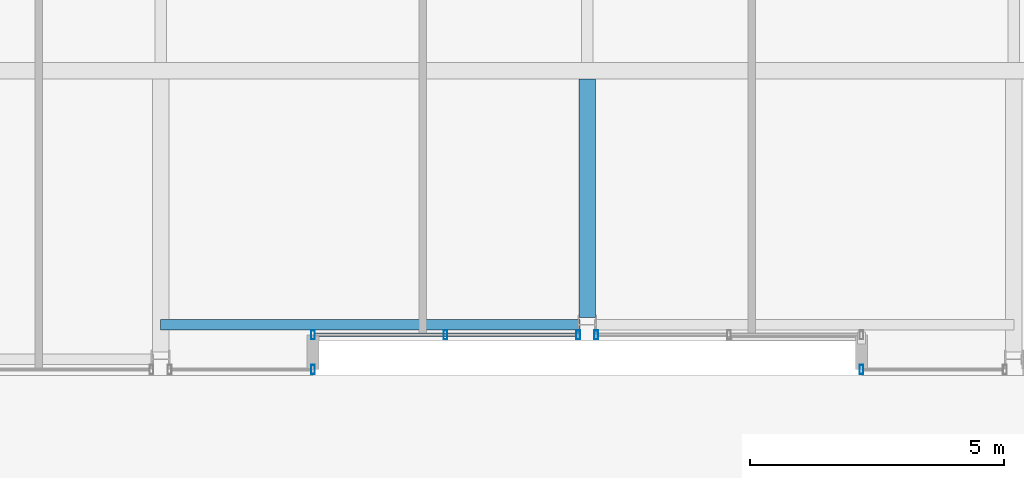
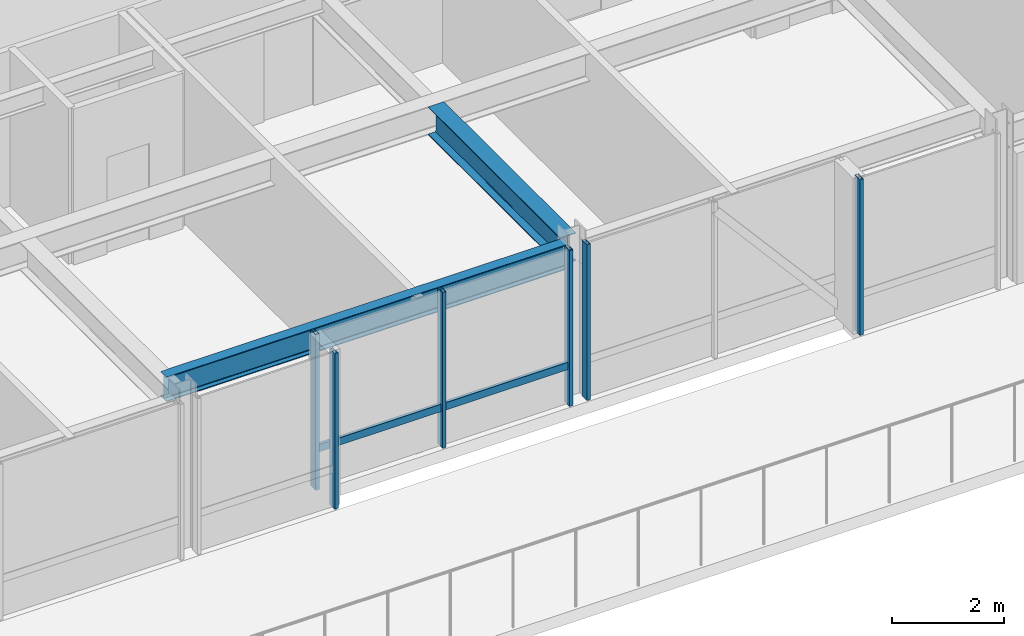
# One storey, part 5 of 32: 7 members, 2 beams, 4 elements without a shape of their own.
"""IFC4 building model written with IfcOpenShell, lengths in metres."""

import ifcopenshell
import ifcopenshell.guid

model = None  # the IFC model being written
_history = None  # IfcOwnerHistory: only IFC2X3 demands one
_inside = {}  # id of a spatial element -> (the spatial element, [elements in it])
_under = {}  # id of a project, library or spatial element -> (it, [spatial elements below it])
_declared = {}  # id of a project -> (the project, [libraries it declares])
_typed = {}  # id of a type object -> (the type object, [elements of that type])
_made_of = {}  # id of a material, layer set ... -> (it, [elements and type objects made of it])


def new_model(schema):
    """Start an empty IFC model of exactly this schema.

    Asked for "IFC4X3", IfcOpenShell would pick the latest addendum, in which some entities
    have other attributes; the version numbers below select the first issue.
    IFC2X3 requires an IfcOwnerHistory on every rooted entity: one is made here for all.
    """
    global model, _history
    if schema == "IFC4X3":
        model = ifcopenshell.file(schema_version=(4, 3, 0, 0))
    else:
        model = ifcopenshell.file(schema=schema)
    _inside.clear()
    _under.clear()
    _declared.clear()
    _typed.clear()
    _made_of.clear()
    _history = None
    if model.schema == "IFC2X3":
        org = make("IfcOrganization", Name="unknown")
        user = make(
            "IfcPersonAndOrganization",
            ThePerson=make("IfcPerson", FamilyName="unknown"),
            TheOrganization=org,
        )
        app = make(
            "IfcApplication",
            ApplicationDeveloper=org,
            Version="unknown",
            ApplicationFullName="unknown",
            ApplicationIdentifier="unknown",
        )
        _history = make(
            "IfcOwnerHistory",
            OwningUser=user,
            OwningApplication=app,
            ChangeAction="ADDED",
            CreationDate=0,
        )
    return model


def make(cls, **values):
    """One entity of the class cls with the attributes given. An attribute that is None is left unset."""
    return model.create_entity(
        cls, **{name: value for name, value in values.items() if value is not None}
    )


def rooted(cls, **values):
    """An entity with a GlobalId (a new one), such as an element, a storey or a relation."""
    return make(cls, GlobalId=ifcopenshell.guid.new(), OwnerHistory=_history, **values)


def si_unit(unit_type, name, prefix=None):
    """IfcSIUnit, for example si_unit("LENGTHUNIT", "METRE", prefix="MILLI")."""
    return make("IfcSIUnit", UnitType=unit_type, Prefix=prefix, Name=name)


def assignment(units):
    """IfcUnitAssignment: the units of a project."""
    return None if units is None else make("IfcUnitAssignment", Units=units)


def point(xyz):
    """IfcCartesianPoint."""
    return None if xyz is None else make("IfcCartesianPoint", Coordinates=xyz)


def direction(xyz):
    """IfcDirection."""
    return None if xyz is None else make("IfcDirection", DirectionRatios=xyz)


def frame(location, z_axis=None, x_axis=None):
    """IfcAxis2Placement3D, a coordinate frame: its origin and axes. An axis left out is left unset."""
    return make(
        "IfcAxis2Placement3D",
        Location=point(location),
        Axis=direction(z_axis),
        RefDirection=direction(x_axis),
    )


def frame_2d(location, x_axis=None):
    """IfcAxis2Placement2D, a coordinate frame in the plane: its origin and x axis."""
    return make(
        "IfcAxis2Placement2D", Location=point(location), RefDirection=direction(x_axis)
    )


def origin():
    """The frame at (0, 0, 0) with its axes left unset."""
    return frame((0.0, 0.0, 0.0))


def origin_2d():
    """The frame at (0, 0) in the plane with its x axis left unset."""
    return frame_2d((0.0, 0.0))


def place(relative_to, where):
    """IfcLocalPlacement: puts the frame where relative to a parent placement (None: the world)."""
    return make(
        "IfcLocalPlacement", PlacementRelTo=relative_to, RelativePlacement=where
    )


def context(
    kind, dimensions, precision=None, world=None, true_north=None, identifier=None
):
    """IfcGeometricRepresentationContext, for example the 3D "Model" context."""
    return make(
        "IfcGeometricRepresentationContext",
        ContextIdentifier=identifier,
        ContextType=kind,
        CoordinateSpaceDimension=dimensions,
        Precision=precision,
        WorldCoordinateSystem=world,
        TrueNorth=true_north,
    )


def subcontext(parent, identifier, kind, view, scale=None):
    """IfcGeometricRepresentationSubContext, for example "Body" below "Model"."""
    return make(
        "IfcGeometricRepresentationSubContext",
        ContextIdentifier=identifier,
        ContextType=kind,
        ParentContext=parent,
        TargetScale=scale,
        TargetView=view,
    )


def project(units=None, contexts=None):
    """IfcProject with its units and contexts."""
    return rooted(
        "IfcProject",
        Name="project",
        RepresentationContexts=contexts,
        UnitsInContext=assignment(units),
    )


def spatial(cls, under=None, at=None, **own):
    """A site, building, storey or space (cls), placed at a placement, below another one or the project."""
    s = rooted(cls, ObjectPlacement=at, **own)
    if under is not None:
        _under.setdefault(under.id(), (under, []))[1].append(s)
    return s


def profile(cls, at=None, kind="AREA", **sizes):
    """A parametric profile (cls). Its sizes go by their IFC names, for example OverallWidth=200.0."""
    return make(cls, ProfileType=kind, Position=at, **sizes)


def hollow_rectangle(**sizes):
    """IfcRectangleHollowProfileDef."""
    return profile("IfcRectangleHollowProfileDef", **sizes)


def i_section(**sizes):
    """IfcIShapeProfileDef."""
    return profile("IfcIShapeProfileDef", **sizes)


def extrude(swept, where, along, depth):
    """IfcExtrudedAreaSolid: the profile swept, set in the frame where, extruded along a direction by depth."""
    return make(
        "IfcExtrudedAreaSolid",
        SweptArea=swept,
        Position=where,
        ExtrudedDirection=direction(along),
        Depth=depth,
    )


def shape(context_of_items, identifier, shape_type, items):
    """IfcShapeRepresentation: the items that make up one representation, for example the "Body"."""
    return make(
        "IfcShapeRepresentation",
        ContextOfItems=context_of_items,
        RepresentationIdentifier=identifier,
        RepresentationType=shape_type,
        Items=items,
    )


def material(Name=None, Category=None):
    """IfcMaterial."""
    return make("IfcMaterial", Name=Name, Category=Category)


def layer(
    of_material, thickness, ventilated=None, Name=None, Category=None, Priority=None
):
    """IfcMaterialLayer: one layer of a wall or slab, of a material (None: an air gap)."""
    return make(
        "IfcMaterialLayer",
        Material=of_material,
        LayerThickness=thickness,
        IsVentilated=ventilated,
        Name=Name,
        Category=Category,
        Priority=Priority,
    )


def layer_set(layers, Name=None):
    """IfcMaterialLayerSet."""
    return make("IfcMaterialLayerSet", MaterialLayers=layers, LayerSetName=Name)


def material_profile(
    of_material, cross_section, Name=None, Category=None, Priority=None
):
    """IfcMaterialProfile: a cross section and its material."""
    return make(
        "IfcMaterialProfile",
        Name=Name,
        Material=of_material,
        Profile=cross_section,
        Priority=Priority,
        Category=Category,
    )


def profile_set(profiles, Name=None, composite=None):
    """IfcMaterialProfileSet."""
    return make(
        "IfcMaterialProfileSet",
        Name=Name,
        MaterialProfiles=profiles,
        CompositeProfile=composite,
    )


def made_of(thing, what):
    """Note that an element or type object is made of a material, layer set ...; save() writes the relation."""
    if what is not None:
        _made_of.setdefault(what.id(), (what, []))[1].append(thing)
    return thing


def type_object(cls, material=None, **own):
    """A type object (cls), such as IfcWallType, which elements share."""
    return made_of(rooted(cls, **own), material)


def element(
    cls,
    number,
    at=None,
    inside=None,
    cuts=None,
    type_object=None,
    material=None,
    context=None,
    identifier="Body",
    shape_type=None,
    held_by="IfcProductDefinitionShape",
    body=None,
    shapes=None,
    **own,
):
    """One element of the class cls, such as IfcWall. Its Tag is "e" and its number.

    at: its placement. inside: the storey or other place that contains it. cuts: it is an
    opening in that element (IfcRelVoidsElement). A single representation is given by context,
    identifier, shape_type and body (its items); several are given by shapes. held_by: the class
    of the entity that holds the representations. save() writes the other relations.
    """
    e = rooted(cls, Tag="e%d" % number, ObjectPlacement=at, **own)
    if body is not None:
        shapes = [shape(context, identifier, shape_type, body)]
    if shapes is not None:
        e.Representation = make(held_by, Representations=shapes)
    if inside is not None:
        _inside.setdefault(inside.id(), (inside, []))[1].append(e)
    if cuts is not None:
        rooted(
            "IfcRelVoidsElement", RelatingBuildingElement=cuts, RelatedOpeningElement=e
        )
    if type_object is not None:
        _typed.setdefault(type_object.id(), (type_object, []))[1].append(e)
    return made_of(e, material)


def aggregate(whole, parts):
    """IfcRelAggregates: a whole, such as a stair, and the parts it consists of."""
    return rooted("IfcRelAggregates", RelatingObject=whole, RelatedObjects=parts)


def save(model, path):
    """Write the relations noted so far, then the file.

    IfcRelAggregates (storeys below a building ...), IfcRelContainedInSpatialStructure (elements
    in a storey), IfcRelDefinesByType, IfcRelAssociatesMaterial and IfcRelDeclares: one each for
    every whole, place, type object, material and project.
    """
    for whole, parts in _under.values():
        aggregate(whole, parts)
    for where, things in _inside.values():
        rooted(
            "IfcRelContainedInSpatialStructure",
            RelatedElements=things,
            RelatingStructure=where,
        )
    for kind, things in _typed.values():
        rooted("IfcRelDefinesByType", RelatedObjects=things, RelatingType=kind)
    for what, things in _made_of.values():
        rooted("IfcRelAssociatesMaterial", RelatedObjects=things, RelatingMaterial=what)
    for by, libraries in _declared.values():
        rooted("IfcRelDeclares", RelatingContext=by, RelatedDefinitions=libraries)
    model.write(path)


model = new_model("IFC4")

# Units and contexts
model_context = context("Model", 3, precision=1e-05, world=origin(), true_north=direction((0.0, 1.0)))
body_context = subcontext(model_context, "Body", "Model", "MODEL_VIEW")
ifc_project = project(units=[si_unit("LENGTHUNIT", "METRE"), si_unit("AREAUNIT", "SQUARE_METRE"), si_unit("VOLUMEUNIT", "CUBIC_METRE"), si_unit("PLANEANGLEUNIT", "RADIAN"), si_unit("MASSUNIT", "GRAM", prefix="KILO")], contexts=[model_context])

# Site, building, storey
site_placement = place(None, origin())
site = spatial("IfcSite", under=ifc_project, at=site_placement, CompositionType="ELEMENT")
building_placement = place(site_placement, origin())
building = spatial("IfcBuilding", under=site, at=building_placement, Name="Drelvath Grand Hotel", CompositionType="ELEMENT")
storey_placement = place(building_placement, frame((0.0, 0.0, 265.0)))
storey = spatial("IfcBuildingStorey", under=building, at=storey_placement, Name="L69", CompositionType="ELEMENT", Elevation=265.0)

# Curtain wall, member
ifc_material_1 = material(Name="Platinum-Mist Anodised Aluminium Frame", Category="aluminium")
ifc_layer = layer(ifc_material_1, 0.199951171875)
ifc_layer_set = layer_set([ifc_layer], Name="Platinum-Mist Anodised Aluminium Frame")
curtain_wall_type = type_object("IfcCurtainWallType", Name="Stick Curtain Wall CW-05 Platinum Mist High-Rise", PredefinedType="NOTDEFINED", material=ifc_layer_set)
curtain_wall_1_placement = place(storey_placement, origin())
curtain_wall_1 = element("IfcCurtainWall", 1, at=curtain_wall_1_placement, inside=storey, type_object=curtain_wall_type, Name="L69 CW-05 Curtain Wall CW05-L69-SM1", PredefinedType="NOTDEFINED")
ifc_material_profile_1 = material_profile(ifc_material_1, hollow_rectangle(XDim=0.06494140625, YDim=0.159912109375, WallThickness=0.00390625, at=origin_2d()), Name="HSS160X65X4")
ifc_profile_set_1 = profile_set([ifc_material_profile_1], Name="Platinum-Mist Anodised Aluminium Frame")
member_type_1 = type_object("IfcMemberType", Name="Curtain Wall Horizontal Transom CW-05 HSS160X65X4", PredefinedType="USERDEFINED", material=ifc_profile_set_1)
member_1_placement = place(storey_placement, frame((-0.21826171875, 5.60009765625, 0.847412109375), z_axis=(-1.0, 0.0, 0.0), x_axis=(0.0, -1.0, 0.0)))
member_1 = element("IfcMember", 2, at=member_1_placement, type_object=member_type_1, Name="CW05-L69-SM1 Sill Transom", ObjectType="TRANSOM", PredefinedType="USERDEFINED", context=body_context, shape_type="SweptSolid", body=[
    extrude(hollow_rectangle(XDim=0.06494140625, YDim=0.159912109375, WallThickness=0.00390625, at=origin_2d()), origin(), (0.0, 0.0, 1.0), 5.141845703125),
])

curtain_wall_2_placement = place(storey_placement, origin())
curtain_wall_2 = element("IfcCurtainWall", 3, at=curtain_wall_2_placement, inside=storey, type_object=curtain_wall_type, Name="L69 CW-05 Curtain Wall CW05-L69-SE1", PredefinedType="NOTDEFINED")
ifc_material_profile_2 = material_profile(ifc_material_1, hollow_rectangle(XDim=0.074951171875, YDim=0.179931640625, WallThickness=0.0048828125, at=origin_2d()), Name="HSS180X75X5")
ifc_profile_set_2 = profile_set([ifc_material_profile_2], Name="Platinum-Mist Anodised Aluminium Frame")
member_type_2 = type_object("IfcMemberType", Name="Curtain Wall Vertical Mullion CW-05 HSS180X75X5", PredefinedType="MULLION", material=ifc_profile_set_2)
member_2_placement = place(storey_placement, frame((5.39990234375, 4.919921875, 0.0), z_axis=(0.0, 0.0, 1.0), x_axis=(1.0, 0.0, 0.0)))
member_2 = element("IfcMember", 4, at=member_2_placement, type_object=member_type_2, Name="CW05-L69-SE1 Mullion 2", PredefinedType="MULLION", context=body_context, shape_type="SweptSolid", body=[
    extrude(hollow_rectangle(XDim=0.074951171875, YDim=0.179931640625, WallThickness=0.0048828125, at=origin_2d()), origin(), (0.0, 0.0, 1.0), 3.389892578125),
])
aggregate(curtain_wall_2, [member_2])

# Member
member_3_placement = place(storey_placement, frame((-0.17822265625, 5.60009765625, 0.0), z_axis=(0.0, 0.0, 1.0), x_axis=(1.0, 0.0, 0.0)))
member_3 = element("IfcMember", 5, at=member_3_placement, type_object=member_type_2, Name="CW05-L69-SM1 Mullion 1", PredefinedType="MULLION", context=body_context, shape_type="SweptSolid", body=[
    extrude(hollow_rectangle(XDim=0.074951171875, YDim=0.179931640625, WallThickness=0.0048828125, at=origin_2d()), origin(), (0.0, 0.0, 1.0), 3.389892578125),
])

member_4_placement = place(storey_placement, frame((-2.7890625, 5.60009765625, 0.0), z_axis=(0.0, 0.0, 1.0), x_axis=(1.0, 0.0, 0.0)))
member_4 = element("IfcMember", 6, at=member_4_placement, type_object=member_type_2, Name="CW05-L69-SM1 Mullion 2", PredefinedType="MULLION", context=body_context, shape_type="SweptSolid", body=[
    extrude(hollow_rectangle(XDim=0.074951171875, YDim=0.179931640625, WallThickness=0.0048828125, at=origin_2d()), origin(), (0.0, 0.0, 1.0), 3.389892578125),
])

member_5_placement = place(storey_placement, frame((-5.39990234375, 5.60009765625, 0.0), z_axis=(0.0, 0.0, 1.0), x_axis=(1.0, 0.0, 0.0)))
member_5 = element("IfcMember", 7, at=member_5_placement, type_object=member_type_2, Name="CW05-L69-SM1 Mullion 3", PredefinedType="MULLION", context=body_context, shape_type="SweptSolid", body=[
    extrude(hollow_rectangle(XDim=0.074951171875, YDim=0.179931640625, WallThickness=0.0048828125, at=origin_2d()), origin(), (0.0, 0.0, 1.0), 3.389892578125),
])

aggregate(curtain_wall_1, [member_3, member_4, member_5, member_1])

# Curtain wall, member
curtain_wall_3_placement = place(storey_placement, origin())
curtain_wall_3 = element("IfcCurtainWall", 8, at=curtain_wall_3_placement, inside=storey, type_object=curtain_wall_type, Name="L69 CW-05 Curtain Wall CW05-L69-SM2", PredefinedType="NOTDEFINED")
member_6_placement = place(storey_placement, frame((0.17822265625, 5.60009765625, 0.0), z_axis=(0.0, 0.0, 1.0), x_axis=(1.0, 0.0, 0.0)))
member_6 = element("IfcMember", 9, at=member_6_placement, type_object=member_type_2, Name="CW05-L69-SM2 Mullion 3", PredefinedType="MULLION", context=body_context, shape_type="SweptSolid", body=[
    extrude(hollow_rectangle(XDim=0.074951171875, YDim=0.179931640625, WallThickness=0.0048828125, at=origin_2d()), origin(), (0.0, 0.0, 1.0), 3.389892578125),
])
aggregate(curtain_wall_3, [member_6])

curtain_wall_4_placement = place(storey_placement, origin())
curtain_wall_4 = element("IfcCurtainWall", 10, at=curtain_wall_4_placement, inside=storey, type_object=curtain_wall_type, Name="L69 CW-05 Curtain Wall CW05-L69-SW2", PredefinedType="NOTDEFINED")
member_7_placement = place(storey_placement, frame((-5.39990234375, 4.919921875, 0.0), z_axis=(0.0, 0.0, 1.0), x_axis=(1.0, 0.0, 0.0)))
member_7 = element("IfcMember", 11, at=member_7_placement, type_object=member_type_2, Name="CW05-L69-SW2 Mullion 1", PredefinedType="MULLION", context=body_context, shape_type="SweptSolid", body=[
    extrude(hollow_rectangle(XDim=0.074951171875, YDim=0.179931640625, WallThickness=0.0048828125, at=origin_2d()), origin(), (0.0, 0.0, 1.0), 3.389892578125),
])
aggregate(curtain_wall_4, [member_7])

# Beams
ifc_material_2 = material(Name="Steel ASTM A992 Gr 50", Category="steel")
ifc_material_profile_3 = material_profile(ifc_material_2, i_section(OverallWidth=0.210205078125, OverallDepth=0.53662109375, WebThickness=0.010986328125, FlangeThickness=0.017333984375, FilletRadius=0.01806640625, at=origin_2d()), Name="W21X68")
ifc_profile_set_3 = profile_set([ifc_material_profile_3], Name="Steel ASTM A992 Gr 50")
beam_type_1 = type_object("IfcBeamType", Name="Perimeter Spandrel Beam W21X68", PredefinedType="SPANDREL", material=ifc_profile_set_3)
beam_1_placement = place(storey_placement, frame((-8.39990234375, 5.800048828125, 3.12158203125), z_axis=(1.0, 0.0, 0.0), x_axis=(0.0, 1.0, 0.0)))
element("IfcBeam", 12, at=beam_1_placement, inside=storey, type_object=beam_type_1, Name="L69 Spandrel South Mid W", PredefinedType="SPANDREL", context=body_context, shape_type="SweptSolid", body=[
    extrude(i_section(OverallWidth=0.210205078125, OverallDepth=0.53662109375, WebThickness=0.010986328125, FlangeThickness=0.017333984375, FilletRadius=0.01806640625, at=origin_2d()), origin(), (0.0, 0.0, 1.0), 8.260009765625),
])
ifc_material_profile_4 = material_profile(ifc_material_2, i_section(OverallWidth=0.323974609375, OverallDepth=0.611083984375, WebThickness=0.0126953125, FlangeThickness=0.01904296875, FilletRadius=0.02197265625, at=origin_2d()), Name="W24X104")
ifc_profile_set_4 = profile_set([ifc_material_profile_4], Name="Steel ASTM A992 Gr 50")
beam_type_2 = type_object("IfcBeamType", Name="Primary Floor Girder W24X104", PredefinedType="BEAM", material=ifc_profile_set_4)
beam_2_placement = place(storey_placement, frame((0.0, 5.93994140625, 3.08447265625), z_axis=(0.0, 1.0, 0.0), x_axis=(-1.0, 0.0, 0.0)))
element("IfcBeam", 13, at=beam_2_placement, inside=storey, type_object=beam_type_2, Name="L69 South Wing Girder 5", PredefinedType="BEAM", context=body_context, shape_type="SweptSolid", body=[
    extrude(i_section(OverallWidth=0.323974609375, OverallDepth=0.611083984375, WebThickness=0.0126953125, FlangeThickness=0.01904296875, FilletRadius=0.02197265625, at=origin_2d()), origin(), (0.0, 0.0, 1.0), 4.697998046875),
])

save(model, "model.ifc")
